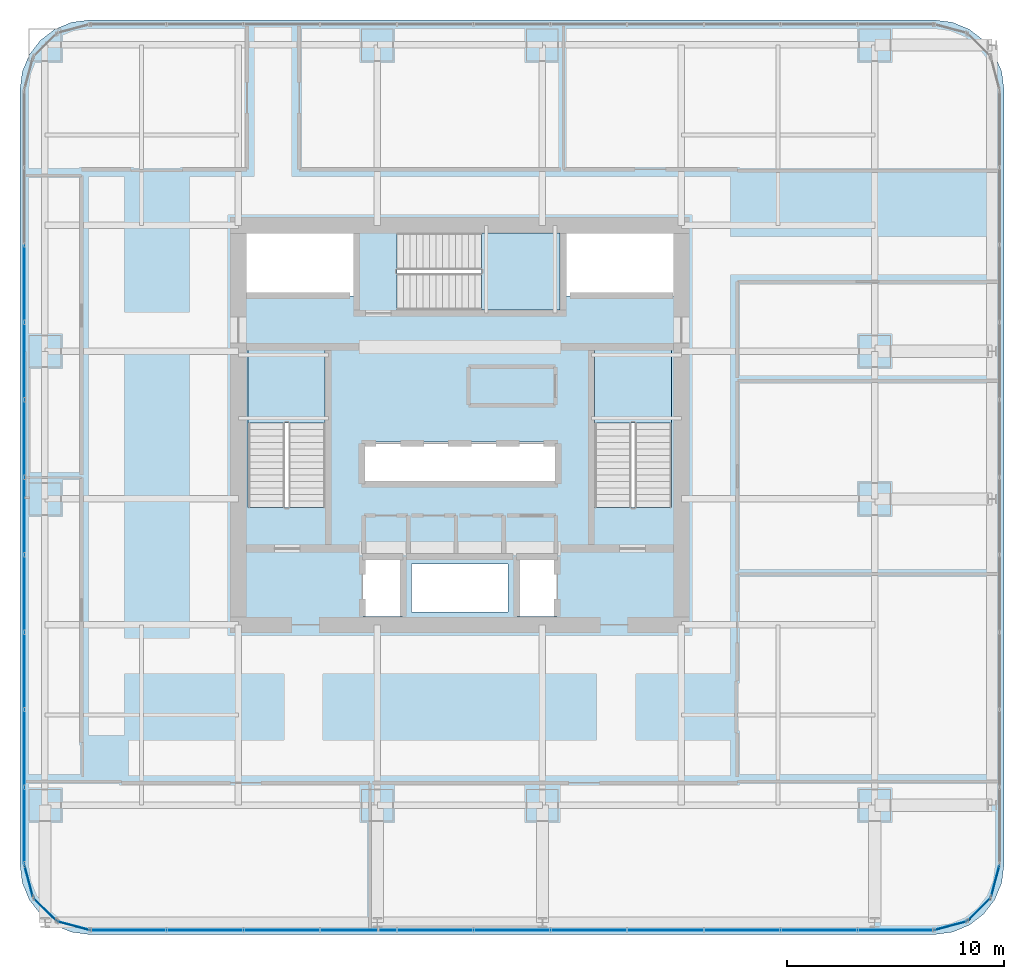
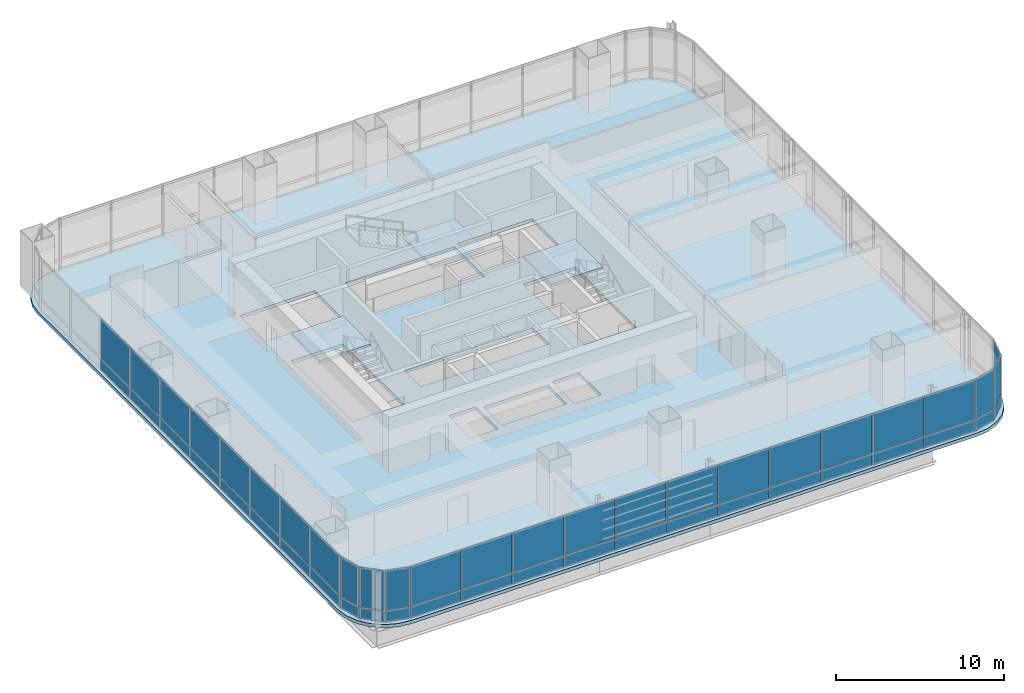
# One storey, part 25 of 35: 50 plates, 4 slabs, 11 elements without a shape of their own.
"""IFC4 building model written with IfcOpenShell, lengths in metres."""

from ifc_helpers import new_model, si_unit, direction, frame, origin, origin_2d, place, context, subcontext, project, spatial, polyline, rectangle, outline, extrude, material, layer, layer_set, type_object, element, aggregate, save


model = new_model("IFC4")

# Units and contexts
model_context = context("Model", 3, precision=1e-05, world=origin(), true_north=direction((0.0, 1.0)))
body_context = subcontext(model_context, "Body", "Model", "MODEL_VIEW")
ifc_project = project(units=[si_unit("LENGTHUNIT", "METRE"), si_unit("AREAUNIT", "SQUARE_METRE"), si_unit("VOLUMEUNIT", "CUBIC_METRE"), si_unit("PLANEANGLEUNIT", "RADIAN"), si_unit("MASSUNIT", "GRAM", prefix="KILO")], contexts=[model_context])

# Site, building, storey
site_placement = place(None, origin())
site = spatial("IfcSite", under=ifc_project, at=site_placement, CompositionType="ELEMENT")
building_placement = place(site_placement, origin())
building = spatial("IfcBuilding", under=site, at=building_placement, Name="Punatoya Terracotta Tower", CompositionType="ELEMENT")
storey_placement = place(building_placement, frame((0.0, 0.0, 72.75)))
storey = spatial("IfcBuildingStorey", under=building, at=storey_placement, Name="L16", CompositionType="ELEMENT", Elevation=72.75)

# Curtain wall, plates
ifc_material_1 = material(Name="Aluminium 6063-T6 + Double Low-E Glass", Category="aluminium")
curtain_wall_type = type_object("IfcCurtainWallType", Name="CW-M1", PredefinedType="NOTDEFINED", material=ifc_material_1)
curtain_wall_1_placement = place(storey_placement, origin())
curtain_wall_1 = element("IfcCurtainWall", 1, at=curtain_wall_1_placement, inside=storey, type_object=curtain_wall_type, Name="L16 Curtain Wall CW-L16-S01-1", PredefinedType="NOTDEFINED")
ifc_material_2 = material(Name="Double Low-E Clear Vision Glass", Category="glass")
ifc_layer_1 = layer(ifc_material_2, 0.028076171875)
ifc_layer_set_1 = layer_set([ifc_layer_1], Name="Double Low-E Clear Vision Glass")
plate_type_1 = type_object("IfcPlateType", Name="PLT-GLZ-28", PredefinedType="CURTAIN_PANEL", material=ifc_layer_set_1)
plate_1_placement = place(storey_placement, frame((-15.27001953125, -23.25, 0.89013671875), z_axis=(0.0, 0.0, 1.0), x_axis=(1.0, 0.0, 0.0)))
plate_1 = element("IfcPlate", 2, at=plate_1_placement, type_object=plate_type_1, Name="CW-L16-S01-1 Vision Glass Panel 1", PredefinedType="CURTAIN_PANEL", context=body_context, shape_type="SweptSolid", body=[
    extrude(rectangle(XDim=3.448974609375, YDim=0.028076171875, at=origin_2d()), origin(), (0.0, 0.0, 1.0), 2.8798828125),
])
plate_2_placement = place(storey_placement, frame((-11.73583984375, -23.25, 0.89013671875), z_axis=(0.0, 0.0, 1.0), x_axis=(1.0, 0.0, 0.0)))
plate_2 = element("IfcPlate", 3, at=plate_2_placement, type_object=plate_type_1, Name="CW-L16-S01-1 Vision Glass Panel 2", PredefinedType="CURTAIN_PANEL", context=body_context, shape_type="SweptSolid", body=[
    extrude(rectangle(XDim=3.448974609375, YDim=0.028076171875, at=origin_2d()), origin(), (0.0, 0.0, 1.0), 2.8798828125),
])
plate_3_placement = place(storey_placement, frame((-8.201904296875, -23.25, 0.89013671875), z_axis=(0.0, 0.0, 1.0), x_axis=(1.0, 0.0, 0.0)))
plate_3 = element("IfcPlate", 4, at=plate_3_placement, type_object=plate_type_1, Name="CW-L16-S01-1 Vision Glass Panel 3", PredefinedType="CURTAIN_PANEL", context=body_context, shape_type="SweptSolid", body=[
    extrude(rectangle(XDim=3.448974609375, YDim=0.028076171875, at=origin_2d()), origin(), (0.0, 0.0, 1.0), 2.8798828125),
])
plate_4_placement = place(storey_placement, frame((-4.66796875, -23.25, 0.89013671875), z_axis=(0.0, 0.0, 1.0), x_axis=(1.0, 0.0, 0.0)))
plate_4 = element("IfcPlate", 5, at=plate_4_placement, type_object=plate_type_1, Name="CW-L16-S01-1 Vision Glass Panel 4", PredefinedType="CURTAIN_PANEL", context=body_context, shape_type="SweptSolid", body=[
    extrude(rectangle(XDim=3.448974609375, YDim=0.028076171875, at=origin_2d()), origin(), (0.0, 0.0, 1.0), 2.8798828125),
])
plate_5_placement = place(storey_placement, frame((-1.134033203125, -23.25, 0.89013671875), z_axis=(0.0, 0.0, 1.0), x_axis=(1.0, 0.0, 0.0)))
plate_5 = element("IfcPlate", 6, at=plate_5_placement, type_object=plate_type_1, Name="CW-L16-S01-1 Vision Glass Panel 5", PredefinedType="CURTAIN_PANEL", context=body_context, shape_type="SweptSolid", body=[
    extrude(rectangle(XDim=3.448974609375, YDim=0.028076171875, at=origin_2d()), origin(), (0.0, 0.0, 1.0), 2.8798828125),
])
plate_6_placement = place(storey_placement, frame((2.39990234375, -23.25, 0.89013671875), z_axis=(0.0, 0.0, 1.0), x_axis=(1.0, 0.0, 0.0)))
plate_6 = element("IfcPlate", 7, at=plate_6_placement, type_object=plate_type_1, Name="CW-L16-S01-1 Vision Glass Panel 6", PredefinedType="CURTAIN_PANEL", context=body_context, shape_type="SweptSolid", body=[
    extrude(rectangle(XDim=3.448974609375, YDim=0.028076171875, at=origin_2d()), origin(), (0.0, 0.0, 1.0), 2.8798828125),
])
plate_7_placement = place(storey_placement, frame((5.93408203125, -23.25, 0.89013671875), z_axis=(0.0, 0.0, 1.0), x_axis=(1.0, 0.0, 0.0)))
plate_7 = element("IfcPlate", 8, at=plate_7_placement, type_object=plate_type_1, Name="CW-L16-S01-1 Vision Glass Panel 7", PredefinedType="CURTAIN_PANEL", context=body_context, shape_type="SweptSolid", body=[
    extrude(rectangle(XDim=3.448974609375, YDim=0.028076171875, at=origin_2d()), origin(), (0.0, 0.0, 1.0), 2.8798828125),
])
plate_8_placement = place(storey_placement, frame((9.468017578125, -23.25, 0.89013671875), z_axis=(0.0, 0.0, 1.0), x_axis=(1.0, 0.0, 0.0)))
plate_8 = element("IfcPlate", 9, at=plate_8_placement, type_object=plate_type_1, Name="CW-L16-S01-1 Vision Glass Panel 8", PredefinedType="CURTAIN_PANEL", context=body_context, shape_type="SweptSolid", body=[
    extrude(rectangle(XDim=3.448974609375, YDim=0.028076171875, at=origin_2d()), origin(), (0.0, 0.0, 1.0), 2.8798828125),
])
plate_9_placement = place(storey_placement, frame((13.001953125, -23.25, 0.89013671875), z_axis=(0.0, 0.0, 1.0), x_axis=(1.0, 0.0, 0.0)))
plate_9 = element("IfcPlate", 10, at=plate_9_placement, type_object=plate_type_1, Name="CW-L16-S01-1 Vision Glass Panel 9", PredefinedType="CURTAIN_PANEL", context=body_context, shape_type="SweptSolid", body=[
    extrude(rectangle(XDim=3.448974609375, YDim=0.028076171875, at=origin_2d()), origin(), (0.0, 0.0, 1.0), 2.8798828125),
])
plate_10_placement = place(storey_placement, frame((16.535888671875, -23.25, 0.89013671875), z_axis=(0.0, 0.0, 1.0), x_axis=(1.0, 0.0, 0.0)))
plate_10 = element("IfcPlate", 11, at=plate_10_placement, type_object=plate_type_1, Name="CW-L16-S01-1 Vision Glass Panel 10", PredefinedType="CURTAIN_PANEL", context=body_context, shape_type="SweptSolid", body=[
    extrude(rectangle(XDim=3.448974609375, YDim=0.028076171875, at=origin_2d()), origin(), (0.0, 0.0, 1.0), 2.8798828125),
])
plate_11_placement = place(storey_placement, frame((20.06982421875, -23.25, 0.89013671875), z_axis=(0.0, 0.0, 1.0), x_axis=(1.0, 0.0, 0.0)))
plate_11 = element("IfcPlate", 12, at=plate_11_placement, type_object=plate_type_1, Name="CW-L16-S01-1 Vision Glass Panel 11", PredefinedType="CURTAIN_PANEL", context=body_context, shape_type="SweptSolid", body=[
    extrude(rectangle(XDim=3.448974609375, YDim=0.028076171875, at=origin_2d()), origin(), (0.0, 0.0, 1.0), 2.8798828125),
])

# Curtain wall, plate
curtain_wall_2_placement = place(storey_placement, origin())
curtain_wall_2 = element("IfcCurtainWall", 13, at=curtain_wall_2_placement, inside=storey, type_object=curtain_wall_type, Name="L16 Curtain Wall CW-L16-CRN02", PredefinedType="NOTDEFINED")
plate_12_placement = place(storey_placement, frame((22.593017578125, -23.04833984375, 0.89013671875), z_axis=(0.0, 0.0, 1.0), x_axis=(0.966213877436, 0.257741620719, 0.0)))
plate_12 = element("IfcPlate", 14, at=plate_12_placement, type_object=plate_type_1, Name="CW-L16-CRN02 Vision Glass Panel 1", PredefinedType="CURTAIN_PANEL", context=body_context, shape_type="SweptSolid", body=[
    extrude(rectangle(XDim=1.47998046875, YDim=0.028076171875, at=origin_2d()), origin(), (0.0, 0.0, 1.0), 2.8798828125),
])

curtain_wall_3_placement = place(storey_placement, origin())
curtain_wall_3 = element("IfcCurtainWall", 15, at=curtain_wall_3_placement, inside=storey, type_object=curtain_wall_type, Name="L16 Curtain Wall CW-L16-CRN03", PredefinedType="NOTDEFINED")
plate_13_placement = place(storey_placement, frame((23.89794921875, -22.2978515625, 0.89013671875), z_axis=(0.0, 0.0, 1.0), x_axis=(0.707106781187, 0.707106781187, 0.0)))
plate_13 = element("IfcPlate", 16, at=plate_13_placement, type_object=plate_type_1, Name="CW-L16-CRN03 Vision Glass Panel 1", PredefinedType="CURTAIN_PANEL", context=body_context, shape_type="SweptSolid", body=[
    extrude(rectangle(XDim=1.467041015625, YDim=0.028076171875, at=origin_2d()), origin(), (0.0, 0.0, 1.0), 2.8798828125),
])

curtain_wall_4_placement = place(storey_placement, origin())
curtain_wall_4 = element("IfcCurtainWall", 17, at=curtain_wall_4_placement, inside=storey, type_object=curtain_wall_type, Name="L16 Curtain Wall CW-L16-CRN04", PredefinedType="NOTDEFINED")
plate_14_placement = place(storey_placement, frame((24.648193359375, -20.992919921875, 0.89013671875), z_axis=(0.0, 0.0, 1.0), x_axis=(0.257741620719, 0.966213877436, 0.0)))
plate_14 = element("IfcPlate", 18, at=plate_14_placement, type_object=plate_type_1, Name="CW-L16-CRN04 Vision Glass Panel 1", PredefinedType="CURTAIN_PANEL", context=body_context, shape_type="SweptSolid", body=[
    extrude(rectangle(XDim=1.47998046875, YDim=0.028076171875, at=origin_2d()), origin(), (0.0, 0.0, 1.0), 2.8798828125),
])

# Curtain wall, plates
curtain_wall_5_placement = place(storey_placement, origin())
curtain_wall_5 = element("IfcCurtainWall", 19, at=curtain_wall_5_placement, inside=storey, type_object=curtain_wall_type, Name="L16 Curtain Wall CW-L16-W13-1", PredefinedType="NOTDEFINED")
plate_15_placement = place(storey_placement, frame((-20.050048828125, 6.518310546875, 0.89013671875), z_axis=(0.0, 0.0, 1.0), x_axis=(0.0, -1.0, 0.0)))
plate_15 = element("IfcPlate", 20, at=plate_15_placement, type_object=plate_type_1, Name="CW-L16-W13-1 Vision Glass Panel 3", PredefinedType="CURTAIN_PANEL", context=body_context, shape_type="SweptSolid", body=[
    extrude(rectangle(XDim=3.482421875, YDim=0.028076171875, at=origin_2d()), origin(), (0.0, 0.0, 1.0), 2.8798828125),
])
plate_16_placement = place(storey_placement, frame((-20.050048828125, 2.951171875, 0.89013671875), z_axis=(0.0, 0.0, 1.0), x_axis=(0.0, -1.0, 0.0)))
plate_16 = element("IfcPlate", 21, at=plate_16_placement, type_object=plate_type_1, Name="CW-L16-W13-1 Vision Glass Panel 4", PredefinedType="CURTAIN_PANEL", context=body_context, shape_type="SweptSolid", body=[
    extrude(rectangle(XDim=3.482421875, YDim=0.028076171875, at=origin_2d()), origin(), (0.0, 0.0, 1.0), 2.8798828125),
])
plate_17_placement = place(storey_placement, frame((-20.050048828125, -0.6162109375, 0.89013671875), z_axis=(0.0, 0.0, 1.0), x_axis=(0.0, -1.0, 0.0)))
plate_17 = element("IfcPlate", 22, at=plate_17_placement, type_object=plate_type_1, Name="CW-L16-W13-1 Vision Glass Panel 5", PredefinedType="CURTAIN_PANEL", context=body_context, shape_type="SweptSolid", body=[
    extrude(rectangle(XDim=3.482421875, YDim=0.028076171875, at=origin_2d()), origin(), (0.0, 0.0, 1.0), 2.8798828125),
])
plate_18_placement = place(storey_placement, frame((-20.050048828125, -4.18359375, 0.89013671875), z_axis=(0.0, 0.0, 1.0), x_axis=(0.0, -1.0, 0.0)))
plate_18 = element("IfcPlate", 23, at=plate_18_placement, type_object=plate_type_1, Name="CW-L16-W13-1 Vision Glass Panel 6", PredefinedType="CURTAIN_PANEL", context=body_context, shape_type="SweptSolid", body=[
    extrude(rectangle(XDim=3.482421875, YDim=0.028076171875, at=origin_2d()), origin(), (0.0, 0.0, 1.0), 2.8798828125),
])
plate_19_placement = place(storey_placement, frame((-20.050048828125, -7.751220703125, 0.89013671875), z_axis=(0.0, 0.0, 1.0), x_axis=(0.0, -1.0, 0.0)))
plate_19 = element("IfcPlate", 24, at=plate_19_placement, type_object=plate_type_1, Name="CW-L16-W13-1 Vision Glass Panel 7", PredefinedType="CURTAIN_PANEL", context=body_context, shape_type="SweptSolid", body=[
    extrude(rectangle(XDim=3.482421875, YDim=0.028076171875, at=origin_2d()), origin(), (0.0, 0.0, 1.0), 2.8798828125),
])
plate_20_placement = place(storey_placement, frame((-20.050048828125, -11.318359375, 0.89013671875), z_axis=(0.0, 0.0, 1.0), x_axis=(0.0, -1.0, 0.0)))
plate_20 = element("IfcPlate", 25, at=plate_20_placement, type_object=plate_type_1, Name="CW-L16-W13-1 Vision Glass Panel 8", PredefinedType="CURTAIN_PANEL", context=body_context, shape_type="SweptSolid", body=[
    extrude(rectangle(XDim=3.482421875, YDim=0.028076171875, at=origin_2d()), origin(), (0.0, 0.0, 1.0), 2.8798828125),
])
plate_21_placement = place(storey_placement, frame((-20.050048828125, -14.8857421875, 0.89013671875), z_axis=(0.0, 0.0, 1.0), x_axis=(0.0, -1.0, 0.0)))
plate_21 = element("IfcPlate", 26, at=plate_21_placement, type_object=plate_type_1, Name="CW-L16-W13-1 Vision Glass Panel 9", PredefinedType="CURTAIN_PANEL", context=body_context, shape_type="SweptSolid", body=[
    extrude(rectangle(XDim=3.482421875, YDim=0.028076171875, at=origin_2d()), origin(), (0.0, 0.0, 1.0), 2.8798828125),
])
plate_22_placement = place(storey_placement, frame((-20.050048828125, -18.453125, 0.89013671875), z_axis=(0.0, 0.0, 1.0), x_axis=(0.0, -1.0, 0.0)))
plate_22 = element("IfcPlate", 27, at=plate_22_placement, type_object=plate_type_1, Name="CW-L16-W13-1 Vision Glass Panel 10", PredefinedType="CURTAIN_PANEL", context=body_context, shape_type="SweptSolid", body=[
    extrude(rectangle(XDim=3.482421875, YDim=0.028076171875, at=origin_2d()), origin(), (0.0, 0.0, 1.0), 2.8798828125),
])

# Curtain wall, plate
curtain_wall_6_placement = place(storey_placement, origin())
curtain_wall_6 = element("IfcCurtainWall", 28, at=curtain_wall_6_placement, inside=storey, type_object=curtain_wall_type, Name="L16 Curtain Wall CW-L16-CRN14", PredefinedType="NOTDEFINED")
plate_23_placement = place(storey_placement, frame((-19.848388671875, -20.992919921875, 0.89013671875), z_axis=(0.0, 0.0, 1.0), x_axis=(0.257741620719, -0.966213877436, 0.0)))
plate_23 = element("IfcPlate", 29, at=plate_23_placement, type_object=plate_type_1, Name="CW-L16-CRN14 Vision Glass Panel 1", PredefinedType="CURTAIN_PANEL", context=body_context, shape_type="SweptSolid", body=[
    extrude(rectangle(XDim=1.47998046875, YDim=0.028076171875, at=origin_2d()), origin(), (0.0, 0.0, 1.0), 2.8798828125),
])

curtain_wall_7_placement = place(storey_placement, origin())
curtain_wall_7 = element("IfcCurtainWall", 30, at=curtain_wall_7_placement, inside=storey, type_object=curtain_wall_type, Name="L16 Curtain Wall CW-L16-CRN15", PredefinedType="NOTDEFINED")
plate_24_placement = place(storey_placement, frame((-19.097900390625, -22.2978515625, 0.89013671875), z_axis=(0.0, 0.0, 1.0), x_axis=(0.707106781187, -0.707106781187, 0.0)))
plate_24 = element("IfcPlate", 31, at=plate_24_placement, type_object=plate_type_1, Name="CW-L16-CRN15 Vision Glass Panel 1", PredefinedType="CURTAIN_PANEL", context=body_context, shape_type="SweptSolid", body=[
    extrude(rectangle(XDim=1.467041015625, YDim=0.028076171875, at=origin_2d()), origin(), (0.0, 0.0, 1.0), 2.8798828125),
])

curtain_wall_8_placement = place(storey_placement, origin())
curtain_wall_8 = element("IfcCurtainWall", 32, at=curtain_wall_8_placement, inside=storey, type_object=curtain_wall_type, Name="L16 Curtain Wall CW-L16-CRN16", PredefinedType="NOTDEFINED")
plate_25_placement = place(storey_placement, frame((-17.79296875, -23.04833984375, 0.89013671875), z_axis=(0.0, 0.0, 1.0), x_axis=(0.966213877436, -0.257741620719, 0.0)))
plate_25 = element("IfcPlate", 33, at=plate_25_placement, type_object=plate_type_1, Name="CW-L16-CRN16 Vision Glass Panel 1", PredefinedType="CURTAIN_PANEL", context=body_context, shape_type="SweptSolid", body=[
    extrude(rectangle(XDim=1.47998046875, YDim=0.028076171875, at=origin_2d()), origin(), (0.0, 0.0, 1.0), 2.8798828125),
])

# Plate
ifc_material_3 = material(Name="Insulated Terracotta-Backed Spandrel Panel", Category="masonry")
ifc_layer_2 = layer(ifc_material_3, 0.044921875)
ifc_layer_set_2 = layer_set([ifc_layer_2], Name="Insulated Terracotta-Backed Spandrel Panel")
plate_type_2 = type_object("IfcPlateType", Name="PLT-SPN-45", PredefinedType="CURTAIN_PANEL", material=ifc_layer_set_2)
plate_26_placement = place(storey_placement, frame((-15.27001953125, -23.25, 0.0400390625), z_axis=(0.0, 0.0, 1.0), x_axis=(1.0, 0.0, 0.0)))
plate_26 = element("IfcPlate", 34, at=plate_26_placement, type_object=plate_type_2, Name="CW-L16-S01-1 Terracotta Spandrel Panel 1", PredefinedType="CURTAIN_PANEL", context=body_context, shape_type="SweptSolid", body=[
    extrude(rectangle(XDim=3.448974609375, YDim=0.044921875, at=origin_2d()), origin(), (0.0, 0.0, 1.0), 0.77490234375),
])

plate_27_placement = place(storey_placement, frame((-11.73583984375, -23.25, 0.0400390625), z_axis=(0.0, 0.0, 1.0), x_axis=(1.0, 0.0, 0.0)))
plate_27 = element("IfcPlate", 35, at=plate_27_placement, type_object=plate_type_2, Name="CW-L16-S01-1 Terracotta Spandrel Panel 2", PredefinedType="CURTAIN_PANEL", context=body_context, shape_type="SweptSolid", body=[
    extrude(rectangle(XDim=3.448974609375, YDim=0.044921875, at=origin_2d()), origin(), (0.0, 0.0, 1.0), 0.77490234375),
])

plate_28_placement = place(storey_placement, frame((-8.201904296875, -23.25, 0.0400390625), z_axis=(0.0, 0.0, 1.0), x_axis=(1.0, 0.0, 0.0)))
plate_28 = element("IfcPlate", 36, at=plate_28_placement, type_object=plate_type_2, Name="CW-L16-S01-1 Terracotta Spandrel Panel 3", PredefinedType="CURTAIN_PANEL", context=body_context, shape_type="SweptSolid", body=[
    extrude(rectangle(XDim=3.448974609375, YDim=0.044921875, at=origin_2d()), origin(), (0.0, 0.0, 1.0), 0.77490234375),
])

plate_29_placement = place(storey_placement, frame((-4.66796875, -23.25, 0.0400390625), z_axis=(0.0, 0.0, 1.0), x_axis=(1.0, 0.0, 0.0)))
plate_29 = element("IfcPlate", 37, at=plate_29_placement, type_object=plate_type_2, Name="CW-L16-S01-1 Terracotta Spandrel Panel 4", PredefinedType="CURTAIN_PANEL", context=body_context, shape_type="SweptSolid", body=[
    extrude(rectangle(XDim=3.448974609375, YDim=0.044921875, at=origin_2d()), origin(), (0.0, 0.0, 1.0), 0.77490234375),
])

plate_30_placement = place(storey_placement, frame((-1.134033203125, -23.25, 0.0400390625), z_axis=(0.0, 0.0, 1.0), x_axis=(1.0, 0.0, 0.0)))
plate_30 = element("IfcPlate", 38, at=plate_30_placement, type_object=plate_type_2, Name="CW-L16-S01-1 Terracotta Spandrel Panel 5", PredefinedType="CURTAIN_PANEL", context=body_context, shape_type="SweptSolid", body=[
    extrude(rectangle(XDim=3.448974609375, YDim=0.044921875, at=origin_2d()), origin(), (0.0, 0.0, 1.0), 0.77490234375),
])

plate_31_placement = place(storey_placement, frame((2.39990234375, -23.25, 0.0400390625), z_axis=(0.0, 0.0, 1.0), x_axis=(1.0, 0.0, 0.0)))
plate_31 = element("IfcPlate", 39, at=plate_31_placement, type_object=plate_type_2, Name="CW-L16-S01-1 Terracotta Spandrel Panel 6", PredefinedType="CURTAIN_PANEL", context=body_context, shape_type="SweptSolid", body=[
    extrude(rectangle(XDim=3.448974609375, YDim=0.044921875, at=origin_2d()), origin(), (0.0, 0.0, 1.0), 0.77490234375),
])

plate_32_placement = place(storey_placement, frame((5.93408203125, -23.25, 0.0400390625), z_axis=(0.0, 0.0, 1.0), x_axis=(1.0, 0.0, 0.0)))
plate_32 = element("IfcPlate", 40, at=plate_32_placement, type_object=plate_type_2, Name="CW-L16-S01-1 Terracotta Spandrel Panel 7", PredefinedType="CURTAIN_PANEL", context=body_context, shape_type="SweptSolid", body=[
    extrude(rectangle(XDim=3.448974609375, YDim=0.044921875, at=origin_2d()), origin(), (0.0, 0.0, 1.0), 0.77490234375),
])

plate_33_placement = place(storey_placement, frame((9.468017578125, -23.25, 0.0400390625), z_axis=(0.0, 0.0, 1.0), x_axis=(1.0, 0.0, 0.0)))
plate_33 = element("IfcPlate", 41, at=plate_33_placement, type_object=plate_type_2, Name="CW-L16-S01-1 Terracotta Spandrel Panel 8", PredefinedType="CURTAIN_PANEL", context=body_context, shape_type="SweptSolid", body=[
    extrude(rectangle(XDim=3.448974609375, YDim=0.044921875, at=origin_2d()), origin(), (0.0, 0.0, 1.0), 0.77490234375),
])

plate_34_placement = place(storey_placement, frame((13.001953125, -23.25, 0.0400390625), z_axis=(0.0, 0.0, 1.0), x_axis=(1.0, 0.0, 0.0)))
plate_34 = element("IfcPlate", 42, at=plate_34_placement, type_object=plate_type_2, Name="CW-L16-S01-1 Terracotta Spandrel Panel 9", PredefinedType="CURTAIN_PANEL", context=body_context, shape_type="SweptSolid", body=[
    extrude(rectangle(XDim=3.448974609375, YDim=0.044921875, at=origin_2d()), origin(), (0.0, 0.0, 1.0), 0.77490234375),
])

plate_35_placement = place(storey_placement, frame((16.535888671875, -23.25, 0.0400390625), z_axis=(0.0, 0.0, 1.0), x_axis=(1.0, 0.0, 0.0)))
plate_35 = element("IfcPlate", 43, at=plate_35_placement, type_object=plate_type_2, Name="CW-L16-S01-1 Terracotta Spandrel Panel 10", PredefinedType="CURTAIN_PANEL", context=body_context, shape_type="SweptSolid", body=[
    extrude(rectangle(XDim=3.448974609375, YDim=0.044921875, at=origin_2d()), origin(), (0.0, 0.0, 1.0), 0.77490234375),
])

plate_36_placement = place(storey_placement, frame((20.06982421875, -23.25, 0.0400390625), z_axis=(0.0, 0.0, 1.0), x_axis=(1.0, 0.0, 0.0)))
plate_36 = element("IfcPlate", 44, at=plate_36_placement, type_object=plate_type_2, Name="CW-L16-S01-1 Terracotta Spandrel Panel 11", PredefinedType="CURTAIN_PANEL", context=body_context, shape_type="SweptSolid", body=[
    extrude(rectangle(XDim=3.448974609375, YDim=0.044921875, at=origin_2d()), origin(), (0.0, 0.0, 1.0), 0.77490234375),
])

aggregate(curtain_wall_1, [plate_26, plate_1, plate_27, plate_2, plate_28, plate_3, plate_29, plate_4, plate_30, plate_5, plate_31, plate_6, plate_32, plate_7, plate_33, plate_8, plate_34, plate_9, plate_35, plate_10, plate_36, plate_11])

plate_37_placement = place(storey_placement, frame((22.593017578125, -23.04833984375, 0.0400390625), z_axis=(0.0, 0.0, 1.0), x_axis=(0.966213877436, 0.257741620719, 0.0)))
plate_37 = element("IfcPlate", 45, at=plate_37_placement, type_object=plate_type_2, Name="CW-L16-CRN02 Terracotta Spandrel Panel 1", PredefinedType="CURTAIN_PANEL", context=body_context, shape_type="SweptSolid", body=[
    extrude(rectangle(XDim=1.47998046875, YDim=0.044921875, at=origin_2d()), origin(), (0.0, 0.0, 1.0), 0.77490234375),
])

aggregate(curtain_wall_2, [plate_37, plate_12])

plate_38_placement = place(storey_placement, frame((23.89794921875, -22.2978515625, 0.0400390625), z_axis=(0.0, 0.0, 1.0), x_axis=(0.707106781187, 0.707106781187, 0.0)))
plate_38 = element("IfcPlate", 46, at=plate_38_placement, type_object=plate_type_2, Name="CW-L16-CRN03 Terracotta Spandrel Panel 1", PredefinedType="CURTAIN_PANEL", context=body_context, shape_type="SweptSolid", body=[
    extrude(rectangle(XDim=1.467041015625, YDim=0.044921875, at=origin_2d()), origin(), (0.0, 0.0, 1.0), 0.77490234375),
])

aggregate(curtain_wall_3, [plate_38, plate_13])

plate_39_placement = place(storey_placement, frame((24.648193359375, -20.992919921875, 0.0400390625), z_axis=(0.0, 0.0, 1.0), x_axis=(0.257741620719, 0.966213877436, 0.0)))
plate_39 = element("IfcPlate", 47, at=plate_39_placement, type_object=plate_type_2, Name="CW-L16-CRN04 Terracotta Spandrel Panel 1", PredefinedType="CURTAIN_PANEL", context=body_context, shape_type="SweptSolid", body=[
    extrude(rectangle(XDim=1.47998046875, YDim=0.044921875, at=origin_2d()), origin(), (0.0, 0.0, 1.0), 0.77490234375),
])

aggregate(curtain_wall_4, [plate_39, plate_14])

plate_40_placement = place(storey_placement, frame((-20.050048828125, 6.518310546875, 0.0400390625), z_axis=(0.0, 0.0, 1.0), x_axis=(0.0, -1.0, 0.0)))
plate_40 = element("IfcPlate", 48, at=plate_40_placement, type_object=plate_type_2, Name="CW-L16-W13-1 Terracotta Spandrel Panel 3", PredefinedType="CURTAIN_PANEL", context=body_context, shape_type="SweptSolid", body=[
    extrude(rectangle(XDim=3.482421875, YDim=0.044921875, at=origin_2d()), origin(), (0.0, 0.0, 1.0), 0.77490234375),
])

plate_41_placement = place(storey_placement, frame((-20.050048828125, 2.951171875, 0.0400390625), z_axis=(0.0, 0.0, 1.0), x_axis=(0.0, -1.0, 0.0)))
plate_41 = element("IfcPlate", 49, at=plate_41_placement, type_object=plate_type_2, Name="CW-L16-W13-1 Terracotta Spandrel Panel 4", PredefinedType="CURTAIN_PANEL", context=body_context, shape_type="SweptSolid", body=[
    extrude(rectangle(XDim=3.482421875, YDim=0.044921875, at=origin_2d()), origin(), (0.0, 0.0, 1.0), 0.77490234375),
])

plate_42_placement = place(storey_placement, frame((-20.050048828125, -0.6162109375, 0.0400390625), z_axis=(0.0, 0.0, 1.0), x_axis=(0.0, -1.0, 0.0)))
plate_42 = element("IfcPlate", 50, at=plate_42_placement, type_object=plate_type_2, Name="CW-L16-W13-1 Terracotta Spandrel Panel 5", PredefinedType="CURTAIN_PANEL", context=body_context, shape_type="SweptSolid", body=[
    extrude(rectangle(XDim=3.482421875, YDim=0.044921875, at=origin_2d()), origin(), (0.0, 0.0, 1.0), 0.77490234375),
])

plate_43_placement = place(storey_placement, frame((-20.050048828125, -4.18359375, 0.0400390625), z_axis=(0.0, 0.0, 1.0), x_axis=(0.0, -1.0, 0.0)))
plate_43 = element("IfcPlate", 51, at=plate_43_placement, type_object=plate_type_2, Name="CW-L16-W13-1 Terracotta Spandrel Panel 6", PredefinedType="CURTAIN_PANEL", context=body_context, shape_type="SweptSolid", body=[
    extrude(rectangle(XDim=3.482421875, YDim=0.044921875, at=origin_2d()), origin(), (0.0, 0.0, 1.0), 0.77490234375),
])

plate_44_placement = place(storey_placement, frame((-20.050048828125, -7.751220703125, 0.0400390625), z_axis=(0.0, 0.0, 1.0), x_axis=(0.0, -1.0, 0.0)))
plate_44 = element("IfcPlate", 52, at=plate_44_placement, type_object=plate_type_2, Name="CW-L16-W13-1 Terracotta Spandrel Panel 7", PredefinedType="CURTAIN_PANEL", context=body_context, shape_type="SweptSolid", body=[
    extrude(rectangle(XDim=3.482421875, YDim=0.044921875, at=origin_2d()), origin(), (0.0, 0.0, 1.0), 0.77490234375),
])

plate_45_placement = place(storey_placement, frame((-20.050048828125, -11.318359375, 0.0400390625), z_axis=(0.0, 0.0, 1.0), x_axis=(0.0, -1.0, 0.0)))
plate_45 = element("IfcPlate", 53, at=plate_45_placement, type_object=plate_type_2, Name="CW-L16-W13-1 Terracotta Spandrel Panel 8", PredefinedType="CURTAIN_PANEL", context=body_context, shape_type="SweptSolid", body=[
    extrude(rectangle(XDim=3.482421875, YDim=0.044921875, at=origin_2d()), origin(), (0.0, 0.0, 1.0), 0.77490234375),
])

plate_46_placement = place(storey_placement, frame((-20.050048828125, -14.8857421875, 0.0400390625), z_axis=(0.0, 0.0, 1.0), x_axis=(0.0, -1.0, 0.0)))
plate_46 = element("IfcPlate", 54, at=plate_46_placement, type_object=plate_type_2, Name="CW-L16-W13-1 Terracotta Spandrel Panel 9", PredefinedType="CURTAIN_PANEL", context=body_context, shape_type="SweptSolid", body=[
    extrude(rectangle(XDim=3.482421875, YDim=0.044921875, at=origin_2d()), origin(), (0.0, 0.0, 1.0), 0.77490234375),
])

plate_47_placement = place(storey_placement, frame((-20.050048828125, -18.453125, 0.0400390625), z_axis=(0.0, 0.0, 1.0), x_axis=(0.0, -1.0, 0.0)))
plate_47 = element("IfcPlate", 55, at=plate_47_placement, type_object=plate_type_2, Name="CW-L16-W13-1 Terracotta Spandrel Panel 10", PredefinedType="CURTAIN_PANEL", context=body_context, shape_type="SweptSolid", body=[
    extrude(rectangle(XDim=3.482421875, YDim=0.044921875, at=origin_2d()), origin(), (0.0, 0.0, 1.0), 0.77490234375),
])

aggregate(curtain_wall_5, [plate_40, plate_15, plate_41, plate_16, plate_42, plate_17, plate_43, plate_18, plate_44, plate_19, plate_45, plate_20, plate_46, plate_21, plate_47, plate_22])

plate_48_placement = place(storey_placement, frame((-19.848388671875, -20.992919921875, 0.0400390625), z_axis=(0.0, 0.0, 1.0), x_axis=(0.257741620719, -0.966213877436, 0.0)))
plate_48 = element("IfcPlate", 56, at=plate_48_placement, type_object=plate_type_2, Name="CW-L16-CRN14 Terracotta Spandrel Panel 1", PredefinedType="CURTAIN_PANEL", context=body_context, shape_type="SweptSolid", body=[
    extrude(rectangle(XDim=1.47998046875, YDim=0.044921875, at=origin_2d()), origin(), (0.0, 0.0, 1.0), 0.77490234375),
])

aggregate(curtain_wall_6, [plate_48, plate_23])

plate_49_placement = place(storey_placement, frame((-19.097900390625, -22.2978515625, 0.0400390625), z_axis=(0.0, 0.0, 1.0), x_axis=(0.707106781187, -0.707106781187, 0.0)))
plate_49 = element("IfcPlate", 57, at=plate_49_placement, type_object=plate_type_2, Name="CW-L16-CRN15 Terracotta Spandrel Panel 1", PredefinedType="CURTAIN_PANEL", context=body_context, shape_type="SweptSolid", body=[
    extrude(rectangle(XDim=1.467041015625, YDim=0.044921875, at=origin_2d()), origin(), (0.0, 0.0, 1.0), 0.77490234375),
])

aggregate(curtain_wall_7, [plate_49, plate_24])

plate_50_placement = place(storey_placement, frame((-17.79296875, -23.04833984375, 0.0400390625), z_axis=(0.0, 0.0, 1.0), x_axis=(0.966213877436, -0.257741620719, 0.0)))
plate_50 = element("IfcPlate", 58, at=plate_50_placement, type_object=plate_type_2, Name="CW-L16-CRN16 Terracotta Spandrel Panel 1", PredefinedType="CURTAIN_PANEL", context=body_context, shape_type="SweptSolid", body=[
    extrude(rectangle(XDim=1.47998046875, YDim=0.044921875, at=origin_2d()), origin(), (0.0, 0.0, 1.0), 0.77490234375),
])

aggregate(curtain_wall_8, [plate_50, plate_25])

# Stair, slab
ifc_material_4 = material(Name="Concrete C40/50", Category="concrete")
stair_type_1 = type_object("IfcStairType", Name="STR-TER-1450", PredefinedType="HALF_TURN_STAIR", material=ifc_material_4)
stair_1_placement = place(storey_placement, origin())
stair_1 = element("IfcStair", 59, at=stair_1_placement, inside=storey, type_object=stair_type_1, Name="L16 Protected Core Exit Stair ST-3", PredefinedType="HALF_TURN_STAIR")
ifc_layer_3 = layer(ifc_material_4, 0.1650390625)
ifc_layer_set_3 = layer_set([ifc_layer_3], Name="Concrete C40/50")
slab_type_1 = type_object("IfcSlabType", Name="SLB-LND-165", PredefinedType="LANDING", material=ifc_layer_set_3)
slab_1_placement = place(storey_placement, frame((0.0, 0.0, 1.824951171875)))
slab_1 = element("IfcSlab", 60, at=slab_1_placement, type_object=slab_type_1, Name="ST-3 landing 1", PredefinedType="LANDING", context=body_context, shape_type="SweptSolid", body=[
    extrude(outline(polyline([(1.0, 5.300048828125), (4.60009765625, 5.300048828125), (4.60009765625, 8.85009765625), (1.0, 8.85009765625), (1.0, 5.300048828125)])), origin(), (0.0, 0.0, 1.0), 0.199951171875),
])
aggregate(stair_1, [slab_1])

stair_type_2 = type_object("IfcStairType", Name="STR-CORE-1550", PredefinedType="HALF_TURN_STAIR", material=ifc_material_4)
stair_2_placement = place(storey_placement, origin())
stair_2 = element("IfcStair", 61, at=stair_2_placement, inside=storey, type_object=stair_type_2, Name="L16 Protected Core Exit Stair ST-1", PredefinedType="HALF_TURN_STAIR")
ifc_layer_4 = layer(ifc_material_4, 0.179931640625)
ifc_layer_set_4 = layer_set([ifc_layer_4], Name="Concrete C40/50")
slab_type_2 = type_object("IfcSlabType", Name="SLB-LND-180", PredefinedType="LANDING", material=ifc_layer_set_4)
slab_2_placement = place(storey_placement, frame((0.0, 0.0, 1.824951171875)))
slab_2 = element("IfcSlab", 62, at=slab_2_placement, type_object=slab_type_2, Name="ST-1 landing 1", PredefinedType="LANDING", context=body_context, shape_type="SweptSolid", body=[
    extrude(outline(polyline([(-6.199951171875, 0.10009765625), (-6.199951171875, 3.449951171875), (-9.75, 3.449951171875), (-9.75, 0.10009765625), (-6.199951171875, 0.10009765625)])), origin(), (0.0, 0.0, 1.0), 0.199951171875),
])
aggregate(stair_2, [slab_2])

stair_type_3 = type_object("IfcStairType", Name="STR-LOB-1650", PredefinedType="HALF_TURN_STAIR", material=ifc_material_4)
stair_3_placement = place(storey_placement, origin())
stair_3 = element("IfcStair", 63, at=stair_3_placement, inside=storey, type_object=stair_type_3, Name="L16 Protected Core Exit Stair ST-2", PredefinedType="HALF_TURN_STAIR")
slab_3_placement = place(storey_placement, frame((0.0, 0.0, 1.824951171875)))
slab_3 = element("IfcSlab", 64, at=slab_3_placement, type_object=slab_type_2, Name="ST-2 landing 1", PredefinedType="LANDING", context=body_context, shape_type="SweptSolid", body=[
    extrude(outline(polyline([(9.75, 0.10009765625), (9.75, 3.449951171875), (6.199951171875, 3.449951171875), (6.199951171875, 0.10009765625), (9.75, 0.10009765625)])), origin(), (0.0, 0.0, 1.0), 0.199951171875),
])
aggregate(stair_3, [slab_3])

# Slab
ifc_layer_5 = layer(ifc_material_4, 0.239990234375)
ifc_layer_set_5 = layer_set([ifc_layer_5], Name="Concrete C40/50")
slab_type_3 = type_object("IfcSlabType", Name="SLB-OFF-240", PredefinedType="FLOOR", material=ifc_layer_set_5)
slab_4_placement = place(storey_placement, frame((0.0, 0.0, -0.239990234375)))
element("IfcSlab", 65, at=slab_4_placement, inside=storey, type_object=slab_type_3, Name="L16 Structural Floor Slab", PredefinedType="FLOOR", context=body_context, shape_type="SweptSolid", body=[
    extrude(outline(polyline([(-17.050048828125, -23.449951171875), (-17.878173828125, -23.341064453125), (-18.64990234375, -23.021240234375), (-19.312744140625, -22.5126953125), (-19.8212890625, -21.85009765625), (-20.14111328125, -21.078125), (-20.25, -20.25), (-20.25, 15.449951171875), (-20.14111328125, 16.2783203125), (-19.8212890625, 17.050048828125), (-19.312744140625, 17.712646484375), (-18.64990234375, 18.22119140625), (-17.878173828125, 18.541015625), (-17.050048828125, 18.64990234375), (21.85009765625, 18.64990234375), (22.67822265625, 18.541015625), (23.449951171875, 18.22119140625), (24.11279296875, 17.712646484375), (24.621337890625, 17.050048828125), (24.94091796875, 16.2783203125), (25.050048828125, 15.449951171875), (25.050048828125, -20.25), (24.94091796875, -21.078125), (24.621337890625, -21.85009765625), (24.11279296875, -22.5126953125), (23.449951171875, -23.021240234375), (22.67822265625, -23.341064453125), (21.85009765625, -23.449951171875), (-17.050048828125, -23.449951171875)]), holes=[polyline([(-2.6298828125, -6.179931640625), (-4.469970703125, -6.179931640625), (-4.469970703125, -8.820068359375), (-2.6298828125, -8.820068359375), (-2.6298828125, -6.179931640625)]), polyline([(0.02001953125, -8.594970703125), (2.219970703125, -8.594970703125), (2.219970703125, -6.405029296875), (0.02001953125, -6.405029296875), (-0.02001953125, -6.405029296875), (-2.219970703125, -6.405029296875), (-2.219970703125, -8.594970703125), (-0.02001953125, -8.594970703125), (0.02001953125, -8.594970703125)]), polyline([(-2.219970703125, -2.719970703125), (-2.179931640625, -2.719970703125), (-0.02001953125, -2.719970703125), (0.02001953125, -2.719970703125), (2.179931640625, -2.719970703125), (2.219970703125, -2.719970703125), (4.419921875, -2.719970703125), (4.419921875, -0.780029296875), (2.219970703125, -0.780029296875), (2.179931640625, -0.780029296875), (0.02001953125, -0.780029296875), (-0.02001953125, -0.780029296875), (-2.179931640625, -0.780029296875), (-2.219970703125, -0.780029296875), (-4.419921875, -0.780029296875), (-4.419921875, -2.719970703125), (-2.219970703125, -2.719970703125)]), polyline([(-6.199951171875, 3.449951171875), (-9.75, 3.449951171875), (-9.75, -3.79931640625), (-6.199951171875, -3.79931640625), (-6.199951171875, 3.449951171875)]), polyline([(4.60009765625, 5.300048828125), (4.60009765625, 8.85009765625), (-2.899169921875, 8.85009765625), (-2.899169921875, 5.300048828125), (4.60009765625, 5.300048828125)]), polyline([(-4.89990234375, 9.050048828125), (-10.050048828125, 9.050048828125), (-10.050048828125, 5.949951171875), (-4.89990234375, 5.949951171875), (-4.89990234375, 9.050048828125)]), polyline([(4.469970703125, -8.820068359375), (4.469970703125, -6.179931640625), (2.6298828125, -6.179931640625), (2.6298828125, -8.820068359375), (4.469970703125, -8.820068359375)]), polyline([(9.75, 3.449951171875), (6.199951171875, 3.449951171875), (6.199951171875, -3.79931640625), (9.75, -3.79931640625), (9.75, 3.449951171875)]), polyline([(10.050048828125, 5.949951171875), (10.050048828125, 9.050048828125), (4.89990234375, 9.050048828125), (4.89990234375, 5.949951171875), (10.050048828125, 5.949951171875)])]), origin(), (0.0, 0.0, 1.0), 0.239990234375),
])

save(model, "model.ifc")
